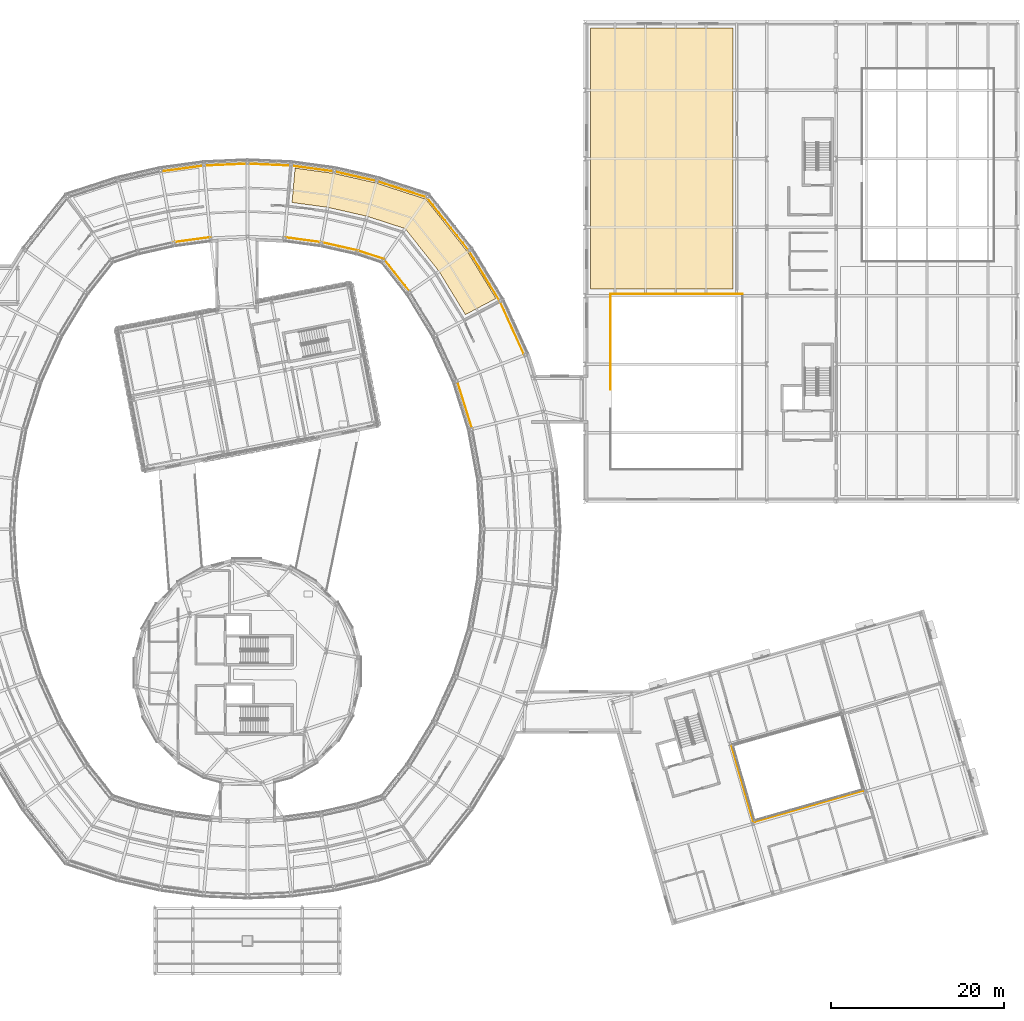
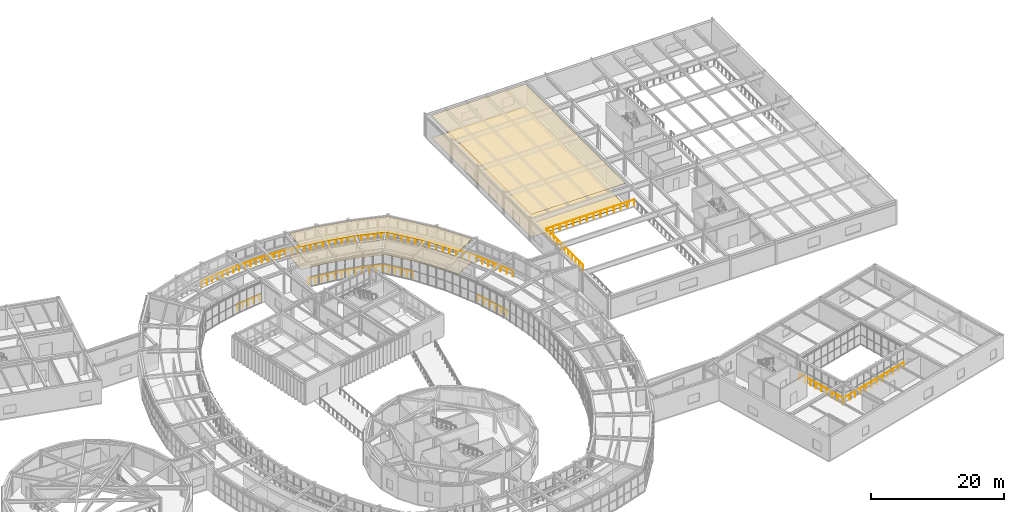
# One storey, part 100 of 103: 19 railings, 4 coverings.
"""IFC4 building model written with IfcOpenShell, lengths in metres."""

from ifc_helpers import new_model, si_unit, direction, frame, origin, origin_2d, place, context, subcontext, project, spatial, polyline, circle, outline, extrude, material, layer, layer_set, type_object, element, save


model = new_model("IFC4")

# Units and contexts
model_context = context("Model", 3, precision=1e-05, world=origin(), true_north=direction((0.0, 1.0)))
body_context = subcontext(model_context, "Body", "Model", "MODEL_VIEW")
ifc_project = project(units=[si_unit("LENGTHUNIT", "METRE"), si_unit("AREAUNIT", "SQUARE_METRE"), si_unit("VOLUMEUNIT", "CUBIC_METRE"), si_unit("PLANEANGLEUNIT", "RADIAN"), si_unit("MASSUNIT", "GRAM", prefix="KILO")], contexts=[model_context])

# Site, building, storey
site_placement = place(None, origin())
site = spatial("IfcSite", under=ifc_project, at=site_placement, CompositionType="ELEMENT")
building_placement = place(site_placement, origin())
building = spatial("IfcBuilding", under=site, at=building_placement, Name="Varnklinge Art Gallery", CompositionType="ELEMENT")
storey_placement = place(building_placement, frame((0.0, 0.0, 5.10009765625)))
storey = spatial("IfcBuildingStorey", under=building, at=storey_placement, Name="L01", CompositionType="ELEMENT", Elevation=5.10009765625)

# Railings
ifc_material_1 = material(Name="Anodised Aluminium", Category="aluminium")
railing_type = type_object("IfcRailingType", Name="BAL-01", PredefinedType="BALUSTRADE", material=ifc_material_1)
railing_1_placement = place(storey_placement, frame((101.440185546875, 66.538818359375, 0.0)))
element("IfcRailing", 1, at=railing_1_placement, inside=storey, type_object=railing_type, Name="L01 Ring Inner Glazing Guard 09", PredefinedType="BALUSTRADE", context=body_context, shape_type="SweptSolid", body=[
    extrude(circle(Radius=0.02392578125, at=origin_2d()), frame((0.0, 0.0, 1.11572265625), z_axis=(-0.299728477264, 0.954024548907, 0.0), x_axis=(-0.954024548907, -0.299728477264, 0.0)), (0.0, 0.0, 1.0), 5.8232421875),
    extrude(circle(Radius=0.02099609375, at=origin_2d()), origin(), (0.0, 0.0, 1.0), 1.091796875),
    extrude(circle(Radius=0.02099609375, at=origin_2d()), frame((-0.34912109375, 1.111083984375, 0.0)), (0.0, 0.0, 1.0), 1.091796875),
    extrude(circle(Radius=0.02099609375, at=origin_2d()), frame((-0.6982421875, 2.22216796875, 0.0)), (0.0, 0.0, 1.0), 1.091796875),
    extrude(circle(Radius=0.02099609375, at=origin_2d()), frame((-1.047119140625, 3.333251953125, 0.0)), (0.0, 0.0, 1.0), 1.091796875),
    extrude(circle(Radius=0.02099609375, at=origin_2d()), frame((-1.396240234375, 4.4443359375, 0.0)), (0.0, 0.0, 1.0), 1.091796875),
    extrude(circle(Radius=0.02099609375, at=origin_2d()), frame((-1.745361328125, 5.555419921875, 0.0)), (0.0, 0.0, 1.0), 1.091796875),
])
railing_2_placement = place(storey_placement, frame((107.44287109375, 75.0576171875, 0.0)))
element("IfcRailing", 2, at=railing_2_placement, inside=storey, type_object=railing_type, Name="L01 Ring Outer Glazing Guard 10", PredefinedType="BALUSTRADE", context=body_context, shape_type="SweptSolid", body=[
    extrude(circle(Radius=0.02392578125, at=origin_2d()), frame((0.0, 0.0, 1.11572265625), z_axis=(-0.413412552712, 0.910543827205, 0.0), x_axis=(-0.910543827205, -0.413412552712, 0.0)), (0.0, 0.0, 1.0), 6.832763671875),
    extrude(circle(Radius=0.02099609375, at=origin_2d()), origin(), (0.0, 0.0, 1.0), 1.091796875),
    extrude(circle(Radius=0.02099609375, at=origin_2d()), frame((-0.470703125, 1.036865234375, 0.0)), (0.0, 0.0, 1.0), 1.091796875),
    extrude(circle(Radius=0.02099609375, at=origin_2d()), frame((-0.941650390625, 2.07373046875, 0.0)), (0.0, 0.0, 1.0), 1.091796875),
    extrude(circle(Radius=0.02099609375, at=origin_2d()), frame((-1.412353515625, 3.11083984375, 0.0)), (0.0, 0.0, 1.0), 1.091796875),
    extrude(circle(Radius=0.02099609375, at=origin_2d()), frame((-1.883056640625, 4.147705078125, 0.0)), (0.0, 0.0, 1.0), 1.091796875),
    extrude(circle(Radius=0.02099609375, at=origin_2d()), frame((-2.35400390625, 5.1845703125, 0.0)), (0.0, 0.0, 1.0), 1.091796875),
    extrude(circle(Radius=0.02099609375, at=origin_2d()), frame((-2.82470703125, 6.221435546875, 0.0)), (0.0, 0.0, 1.0), 1.091796875),
])
railing_3_placement = place(storey_placement, frame((104.6181640625, 81.279052734375, 0.0)))
element("IfcRailing", 3, at=railing_3_placement, inside=storey, type_object=railing_type, Name="L01 Ring Outer Glazing Guard 11", PredefinedType="BALUSTRADE", context=body_context, shape_type="SweptSolid", body=[
    extrude(circle(Radius=0.02392578125, at=origin_2d()), frame((0.0, 0.0, 1.11572265625), z_axis=(-0.520933930846, 0.853597000753, 0.0), x_axis=(-0.853597000753, -0.520933930846, 0.0)), (0.0, 0.0, 1.0), 6.83251953125),
    extrude(circle(Radius=0.02099609375, at=origin_2d()), origin(), (0.0, 0.0, 1.0), 1.091796875),
    extrude(circle(Radius=0.02099609375, at=origin_2d()), frame((-0.59326171875, 0.97216796875, 0.0)), (0.0, 0.0, 1.0), 1.091796875),
    extrude(circle(Radius=0.02099609375, at=origin_2d()), frame((-1.1865234375, 1.944091796875, 0.0)), (0.0, 0.0, 1.0), 1.091796875),
    extrude(circle(Radius=0.02099609375, at=origin_2d()), frame((-1.77978515625, 2.916015625, 0.0)), (0.0, 0.0, 1.0), 1.091796875),
    extrude(circle(Radius=0.02099609375, at=origin_2d()), frame((-2.372802734375, 3.88818359375, 0.0)), (0.0, 0.0, 1.0), 1.091796875),
    extrude(circle(Radius=0.02099609375, at=origin_2d()), frame((-2.966064453125, 4.8603515625, 0.0)), (0.0, 0.0, 1.0), 1.091796875),
    extrude(circle(Radius=0.02099609375, at=origin_2d()), frame((-3.559326171875, 5.832275390625, 0.0)), (0.0, 0.0, 1.0), 1.091796875),
])
railing_4_placement = place(storey_placement, frame((101.058837890625, 87.111328125, 0.0)))
element("IfcRailing", 4, at=railing_4_placement, inside=storey, type_object=railing_type, Name="L01 Ring Outer Glazing Guard 12", PredefinedType="BALUSTRADE", context=body_context, shape_type="SweptSolid", body=[
    extrude(circle(Radius=0.02392578125, at=origin_2d()), frame((0.0, 0.0, 1.11572265625), z_axis=(-0.620768404491, 0.783993997417, 0.0), x_axis=(-0.783993997417, -0.620768404491, 0.0)), (0.0, 0.0, 1.0), 7.8330078125),
    extrude(circle(Radius=0.02099609375, at=origin_2d()), origin(), (0.0, 0.0, 1.0), 1.091796875),
    extrude(circle(Radius=0.02099609375, at=origin_2d()), frame((-0.694580078125, 0.877197265625, 0.0)), (0.0, 0.0, 1.0), 1.091796875),
    extrude(circle(Radius=0.02099609375, at=origin_2d()), frame((-1.389404296875, 1.754638671875, 0.0)), (0.0, 0.0, 1.0), 1.091796875),
    extrude(circle(Radius=0.02099609375, at=origin_2d()), frame((-2.083984375, 2.6318359375, 0.0)), (0.0, 0.0, 1.0), 1.091796875),
    extrude(circle(Radius=0.02099609375, at=origin_2d()), frame((-2.778564453125, 3.50927734375, 0.0)), (0.0, 0.0, 1.0), 1.091796875),
    extrude(circle(Radius=0.02099609375, at=origin_2d()), frame((-3.47314453125, 4.386474609375, 0.0)), (0.0, 0.0, 1.0), 1.091796875),
    extrude(circle(Radius=0.02099609375, at=origin_2d()), frame((-4.16796875, 5.263916015625, 0.0)), (0.0, 0.0, 1.0), 1.091796875),
    extrude(circle(Radius=0.02099609375, at=origin_2d()), frame((-4.862548828125, 6.14111328125, 0.0)), (0.0, 0.0, 1.0), 1.091796875),
])
railing_5_placement = place(storey_placement, frame((94.254150390625, 82.3671875, 0.0)))
element("IfcRailing", 5, at=railing_5_placement, inside=storey, type_object=railing_type, Name="L01 Ring Inner Glazing Guard 12", PredefinedType="BALUSTRADE", context=body_context, shape_type="SweptSolid", body=[
    extrude(circle(Radius=0.02392578125, at=origin_2d()), frame((0.0, 0.0, 1.11572265625), z_axis=(-0.620779441909, 0.783985257836, 0.0), x_axis=(-0.783985257836, -0.620779441909, 0.0)), (0.0, 0.0, 1.0), 4.82275390625),
    extrude(circle(Radius=0.02099609375, at=origin_2d()), origin(), (0.0, 0.0, 1.0), 1.091796875),
    extrude(circle(Radius=0.02099609375, at=origin_2d()), frame((-0.598876953125, 0.756103515625, 0.0)), (0.0, 0.0, 1.0), 1.091796875),
    extrude(circle(Radius=0.02099609375, at=origin_2d()), frame((-1.197509765625, 1.512451171875, 0.0)), (0.0, 0.0, 1.0), 1.091796875),
    extrude(circle(Radius=0.02099609375, at=origin_2d()), frame((-1.79638671875, 2.2685546875, 0.0)), (0.0, 0.0, 1.0), 1.091796875),
    extrude(circle(Radius=0.02099609375, at=origin_2d()), frame((-2.39501953125, 3.02490234375, 0.0)), (0.0, 0.0, 1.0), 1.091796875),
    extrude(circle(Radius=0.02099609375, at=origin_2d()), frame((-2.993896484375, 3.781005859375, 0.0)), (0.0, 0.0, 1.0), 1.091796875),
])
railing_6_placement = place(storey_placement, frame((96.1962890625, 93.25244140625, 0.0)))
element("IfcRailing", 6, at=railing_6_placement, inside=storey, type_object=railing_type, Name="L01 Ring Outer Glazing Guard 13", PredefinedType="BALUSTRADE", context=body_context, shape_type="SweptSolid", body=[
    extrude(circle(Radius=0.02392578125, at=origin_2d()), frame((0.0, 0.0, 1.11572265625), z_axis=(-0.951286996802, 0.308306746141, 0.0), x_axis=(-0.308306746141, -0.951286996802, 0.0)), (0.0, 0.0, 1.0), 6.0927734375),
    extrude(circle(Radius=0.02099609375, at=origin_2d()), origin(), (0.0, 0.0, 1.0), 1.091796875),
    extrude(circle(Radius=0.02099609375, at=origin_2d()), frame((-0.966064453125, 0.31298828125, 0.0)), (0.0, 0.0, 1.0), 1.091796875),
    extrude(circle(Radius=0.02099609375, at=origin_2d()), frame((-1.931884765625, 0.626220703125, 0.0)), (0.0, 0.0, 1.0), 1.091796875),
    extrude(circle(Radius=0.02099609375, at=origin_2d()), frame((-2.89794921875, 0.939208984375, 0.0)), (0.0, 0.0, 1.0), 1.091796875),
    extrude(circle(Radius=0.02099609375, at=origin_2d()), frame((-3.864013671875, 1.252197265625, 0.0)), (0.0, 0.0, 1.0), 1.091796875),
    extrude(circle(Radius=0.02099609375, at=origin_2d()), frame((-4.829833984375, 1.5654296875, 0.0)), (0.0, 0.0, 1.0), 1.091796875),
    extrude(circle(Radius=0.02099609375, at=origin_2d()), frame((-5.7958984375, 1.87841796875, 0.0)), (0.0, 0.0, 1.0), 1.091796875),
])
railing_7_placement = place(storey_placement, frame((91.26025390625, 86.148193359375, 0.0)))
element("IfcRailing", 7, at=railing_7_placement, inside=storey, type_object=railing_type, Name="L01 Ring Inner Glazing Guard 13", PredefinedType="BALUSTRADE", context=body_context, shape_type="SweptSolid", body=[
    extrude(circle(Radius=0.02392578125, at=origin_2d()), frame((0.0, 0.0, 1.11572265625), z_axis=(-0.951276988324, 0.308337625804, 0.0), x_axis=(-0.308337625804, -0.951276988324, 0.0)), (0.0, 0.0, 1.0), 3.21630859375),
    extrude(circle(Radius=0.02099609375, at=origin_2d()), origin(), (0.0, 0.0, 1.0), 1.091796875),
    extrude(circle(Radius=0.02099609375, at=origin_2d()), frame((-1.019775390625, 0.33056640625, 0.0)), (0.0, 0.0, 1.0), 1.091796875),
    extrude(circle(Radius=0.02099609375, at=origin_2d()), frame((-2.039794921875, 0.6611328125, 0.0)), (0.0, 0.0, 1.0), 1.091796875),
    extrude(circle(Radius=0.02099609375, at=origin_2d()), frame((-3.0595703125, 0.99169921875, 0.0)), (0.0, 0.0, 1.0), 1.091796875),
])
railing_8_placement = place(storey_placement, frame((90.400390625, 95.130859375, 0.0)))
element("IfcRailing", 8, at=railing_8_placement, inside=storey, type_object=railing_type, Name="L01 Ring Outer Glazing Guard 14", PredefinedType="BALUSTRADE", context=body_context, shape_type="SweptSolid", body=[
    extrude(circle(Radius=0.02392578125, at=origin_2d()), frame((0.0, 0.0, 1.11572265625), z_axis=(-0.975052616387, 0.221973861698, 0.0), x_axis=(-0.221973861698, -0.975052616387, 0.0)), (0.0, 0.0, 1.0), 5.025390625),
    extrude(circle(Radius=0.02099609375, at=origin_2d()), origin(), (0.0, 0.0, 1.0), 1.091796875),
    extrude(circle(Radius=0.02099609375, at=origin_2d()), frame((-0.97998046875, 0.22314453125, 0.0)), (0.0, 0.0, 1.0), 1.091796875),
    extrude(circle(Radius=0.02099609375, at=origin_2d()), frame((-1.9599609375, 0.4462890625, 0.0)), (0.0, 0.0, 1.0), 1.091796875),
    extrude(circle(Radius=0.02099609375, at=origin_2d()), frame((-2.93994140625, 0.669189453125, 0.0)), (0.0, 0.0, 1.0), 1.091796875),
    extrude(circle(Radius=0.02099609375, at=origin_2d()), frame((-3.919921875, 0.892333984375, 0.0)), (0.0, 0.0, 1.0), 1.091796875),
    extrude(circle(Radius=0.02099609375, at=origin_2d()), frame((-4.89990234375, 1.115478515625, 0.0)), (0.0, 0.0, 1.0), 1.091796875),
])
railing_9_placement = place(storey_placement, frame((88.20068359375, 87.139892578125, 0.0)))
element("IfcRailing", 9, at=railing_9_placement, inside=storey, type_object=railing_type, Name="L01 Ring Inner Glazing Guard 14", PredefinedType="BALUSTRADE", context=body_context, shape_type="SweptSolid", body=[
    extrude(circle(Radius=0.02392578125, at=origin_2d()), frame((0.0, 0.0, 1.11572265625), z_axis=(-0.975058334302, 0.221948743425, 0.0), x_axis=(-0.221948743425, -0.975058334302, 0.0)), (0.0, 0.0, 1.0), 4.283447265625),
    extrude(circle(Radius=0.02099609375, at=origin_2d()), origin(), (0.0, 0.0, 1.0), 1.091796875),
    extrude(circle(Radius=0.02099609375, at=origin_2d()), frame((-1.044189453125, 0.23779296875, 0.0)), (0.0, 0.0, 1.0), 1.091796875),
    extrude(circle(Radius=0.02099609375, at=origin_2d()), frame((-2.08837890625, 0.475341796875, 0.0)), (0.0, 0.0, 1.0), 1.091796875),
    extrude(circle(Radius=0.02099609375, at=origin_2d()), frame((-3.13232421875, 0.712890625, 0.0)), (0.0, 0.0, 1.0), 1.091796875),
    extrude(circle(Radius=0.02099609375, at=origin_2d()), frame((-4.176513671875, 0.95068359375, 0.0)), (0.0, 0.0, 1.0), 1.091796875),
])
railing_10_placement = place(storey_placement, frame((85.50048828125, 96.246337890625, 0.0)))
element("IfcRailing", 10, at=railing_10_placement, inside=storey, type_object=railing_type, Name="L01 Ring Outer Glazing Guard 15", PredefinedType="BALUSTRADE", context=body_context, shape_type="SweptSolid", body=[
    extrude(circle(Radius=0.02392578125, at=origin_2d()), frame((0.0, 0.0, 1.11572265625), z_axis=(-0.990995566773, 0.133894684872, 0.0), x_axis=(-0.133894684872, -0.990995566773, 0.0)), (0.0, 0.0, 1.0), 5.025146484375),
    extrude(circle(Radius=0.02099609375, at=origin_2d()), origin(), (0.0, 0.0, 1.0), 1.091796875),
    extrude(circle(Radius=0.02099609375, at=origin_2d()), frame((-0.99609375, 0.134521484375, 0.0)), (0.0, 0.0, 1.0), 1.091796875),
    extrude(circle(Radius=0.02099609375, at=origin_2d()), frame((-1.991943359375, 0.26904296875, 0.0)), (0.0, 0.0, 1.0), 1.091796875),
    extrude(circle(Radius=0.02099609375, at=origin_2d()), frame((-2.988037109375, 0.40380859375, 0.0)), (0.0, 0.0, 1.0), 1.091796875),
    extrude(circle(Radius=0.02099609375, at=origin_2d()), frame((-3.98388671875, 0.538330078125, 0.0)), (0.0, 0.0, 1.0), 1.091796875),
    extrude(circle(Radius=0.02099609375, at=origin_2d()), frame((-4.97998046875, 0.6728515625, 0.0)), (0.0, 0.0, 1.0), 1.091796875),
])
railing_11_placement = place(storey_placement, frame((84.024169921875, 88.090576171875, 0.0)))
element("IfcRailing", 11, at=railing_11_placement, inside=storey, type_object=railing_type, Name="L01 Ring Inner Glazing Guard 15", PredefinedType="BALUSTRADE", context=body_context, shape_type="SweptSolid", body=[
    extrude(circle(Radius=0.02392578125, at=origin_2d()), frame((0.0, 0.0, 1.11572265625), z_axis=(-0.990996927418, 0.133884613936, 0.0), x_axis=(-0.133884613936, -0.990996927418, 0.0)), (0.0, 0.0, 1.0), 4.283447265625),
    extrude(circle(Radius=0.02099609375, at=origin_2d()), origin(), (0.0, 0.0, 1.0), 1.091796875),
    extrude(circle(Radius=0.02099609375, at=origin_2d()), frame((-1.061279296875, 0.143310546875, 0.0)), (0.0, 0.0, 1.0), 1.091796875),
    extrude(circle(Radius=0.02099609375, at=origin_2d()), frame((-2.12255859375, 0.28662109375, 0.0)), (0.0, 0.0, 1.0), 1.091796875),
    extrude(circle(Radius=0.02099609375, at=origin_2d()), frame((-3.18359375, 0.43017578125, 0.0)), (0.0, 0.0, 1.0), 1.091796875),
    extrude(circle(Radius=0.02099609375, at=origin_2d()), frame((-4.244873046875, 0.573486328125, 0.0)), (0.0, 0.0, 1.0), 1.091796875),
])
railing_12_placement = place(storey_placement, frame((80.5205078125, 96.919189453125, 0.0)))
element("IfcRailing", 12, at=railing_12_placement, inside=storey, type_object=railing_type, Name="L01 Ring Outer Glazing Guard 16", PredefinedType="BALUSTRADE", context=body_context, shape_type="SweptSolid", body=[
    extrude(circle(Radius=0.02392578125, at=origin_2d()), frame((0.0, 0.0, 1.11572265625), z_axis=(-0.998998568337, 0.044742155293, 0.0), x_axis=(-0.044742155293, -0.998998568337, 0.0)), (0.0, 0.0, 1.0), 5.025634765625),
    extrude(circle(Radius=0.02099609375, at=origin_2d()), origin(), (0.0, 0.0, 1.0), 1.091796875),
    extrude(circle(Radius=0.02099609375, at=origin_2d()), frame((-1.004150390625, 0.044921875, 0.0)), (0.0, 0.0, 1.0), 1.091796875),
    extrude(circle(Radius=0.02099609375, at=origin_2d()), frame((-2.00830078125, 0.08984375, 0.0)), (0.0, 0.0, 1.0), 1.091796875),
    extrude(circle(Radius=0.02099609375, at=origin_2d()), frame((-3.01220703125, 0.135009765625, 0.0)), (0.0, 0.0, 1.0), 1.091796875),
    extrude(circle(Radius=0.02099609375, at=origin_2d()), frame((-4.016357421875, 0.179931640625, 0.0)), (0.0, 0.0, 1.0), 1.091796875),
    extrude(circle(Radius=0.02099609375, at=origin_2d()), frame((-5.0205078125, 0.224853515625, 0.0)), (0.0, 0.0, 1.0), 1.091796875),
])
railing_13_placement = place(storey_placement, frame((75.5, 97.14404296875, 0.0)))
element("IfcRailing", 13, at=railing_13_placement, inside=storey, type_object=railing_type, Name="L01 Ring Outer Glazing Guard 17", PredefinedType="BALUSTRADE", context=body_context, shape_type="SweptSolid", body=[
    extrude(circle(Radius=0.02392578125, at=origin_2d()), frame((0.0, 0.0, 1.11572265625), z_axis=(-0.998998568337, -0.044742155293, 0.0), x_axis=(0.044742155293, -0.998998568337, 0.0)), (0.0, 0.0, 1.0), 5.025634765625),
    extrude(circle(Radius=0.02099609375, at=origin_2d()), origin(), (0.0, 0.0, 1.0), 1.091796875),
    extrude(circle(Radius=0.02099609375, at=origin_2d()), frame((-1.004150390625, -0.044921875, 0.0)), (0.0, 0.0, 1.0), 1.091796875),
    extrude(circle(Radius=0.02099609375, at=origin_2d()), frame((-2.00830078125, -0.08984375, 0.0)), (0.0, 0.0, 1.0), 1.091796875),
    extrude(circle(Radius=0.02099609375, at=origin_2d()), frame((-3.01220703125, -0.135009765625, 0.0)), (0.0, 0.0, 1.0), 1.091796875),
    extrude(circle(Radius=0.02099609375, at=origin_2d()), frame((-4.016357421875, -0.179931640625, 0.0)), (0.0, 0.0, 1.0), 1.091796875),
    extrude(circle(Radius=0.02099609375, at=origin_2d()), frame((-5.0205078125, -0.224853515625, 0.0)), (0.0, 0.0, 1.0), 1.091796875),
])
railing_14_placement = place(storey_placement, frame((70.4794921875, 96.919189453125, 0.0)))
element("IfcRailing", 14, at=railing_14_placement, inside=storey, type_object=railing_type, Name="L01 Ring Outer Glazing Guard 18", PredefinedType="BALUSTRADE", context=body_context, shape_type="SweptSolid", body=[
    extrude(circle(Radius=0.02392578125, at=origin_2d()), frame((0.0, 0.0, 1.11572265625), z_axis=(-0.990995566773, -0.133894684872, 0.0), x_axis=(0.133894684872, -0.990995566773, 0.0)), (0.0, 0.0, 1.0), 5.025146484375),
    extrude(circle(Radius=0.02099609375, at=origin_2d()), origin(), (0.0, 0.0, 1.0), 1.091796875),
    extrude(circle(Radius=0.02099609375, at=origin_2d()), frame((-0.99609375, -0.134521484375, 0.0)), (0.0, 0.0, 1.0), 1.091796875),
    extrude(circle(Radius=0.02099609375, at=origin_2d()), frame((-1.991943359375, -0.26904296875, 0.0)), (0.0, 0.0, 1.0), 1.091796875),
    extrude(circle(Radius=0.02099609375, at=origin_2d()), frame((-2.988037109375, -0.40380859375, 0.0)), (0.0, 0.0, 1.0), 1.091796875),
    extrude(circle(Radius=0.02099609375, at=origin_2d()), frame((-3.98388671875, -0.538330078125, 0.0)), (0.0, 0.0, 1.0), 1.091796875),
    extrude(circle(Radius=0.02099609375, at=origin_2d()), frame((-4.97998046875, -0.6728515625, 0.0)), (0.0, 0.0, 1.0), 1.091796875),
])
railing_15_placement = place(storey_placement, frame((71.220703125, 88.6640625, 0.0)))
element("IfcRailing", 15, at=railing_15_placement, inside=storey, type_object=railing_type, Name="L01 Ring Inner Glazing Guard 18", PredefinedType="BALUSTRADE", context=body_context, shape_type="SweptSolid", body=[
    extrude(circle(Radius=0.02392578125, at=origin_2d()), frame((0.0, 0.0, 1.11572265625), z_axis=(-0.990996927418, -0.133884613936, 0.0), x_axis=(0.133884613936, -0.990996927418, 0.0)), (0.0, 0.0, 1.0), 4.283447265625),
    extrude(circle(Radius=0.02099609375, at=origin_2d()), origin(), (0.0, 0.0, 1.0), 1.091796875),
    extrude(circle(Radius=0.02099609375, at=origin_2d()), frame((-1.061279296875, -0.143310546875, 0.0)), (0.0, 0.0, 1.0), 1.091796875),
    extrude(circle(Radius=0.02099609375, at=origin_2d()), frame((-2.12255859375, -0.28662109375, 0.0)), (0.0, 0.0, 1.0), 1.091796875),
    extrude(circle(Radius=0.02099609375, at=origin_2d()), frame((-3.18359375, -0.43017578125, 0.0)), (0.0, 0.0, 1.0), 1.091796875),
    extrude(circle(Radius=0.02099609375, at=origin_2d()), frame((-4.244873046875, -0.573486328125, 0.0)), (0.0, 0.0, 1.0), 1.091796875),
])
railing_16_placement = place(storey_placement, frame((146.53271484375, 24.812255859375, 0.0)))
element("IfcRailing", 16, at=railing_16_placement, inside=storey, type_object=railing_type, Name="BAL-V6C-L01-1", PredefinedType="BALUSTRADE", context=body_context, shape_type="SweptSolid", body=[
    extrude(circle(Radius=0.02392578125, at=origin_2d()), frame((0.0, 0.0, 1.11572265625), z_axis=(-0.961262007285, -0.275636270019, 0.0), x_axis=(0.275636270019, -0.961262007285, 0.0)), (0.0, 0.0, 1.0), 13.0),
    extrude(circle(Radius=0.02099609375, at=origin_2d()), origin(), (0.0, 0.0, 1.0), 1.091796875),
    extrude(circle(Radius=0.02099609375, at=origin_2d()), frame((-1.135986328125, -0.32568359375, 0.0)), (0.0, 0.0, 1.0), 1.091796875),
    extrude(circle(Radius=0.02099609375, at=origin_2d()), frame((-2.27197265625, -0.651611328125, 0.0)), (0.0, 0.0, 1.0), 1.091796875),
    extrude(circle(Radius=0.02099609375, at=origin_2d()), frame((-3.408203125, -0.977294921875, 0.0)), (0.0, 0.0, 1.0), 1.091796875),
    extrude(circle(Radius=0.02099609375, at=origin_2d()), frame((-4.544189453125, -1.302978515625, 0.0)), (0.0, 0.0, 1.0), 1.091796875),
    extrude(circle(Radius=0.02099609375, at=origin_2d()), frame((-5.68017578125, -1.628662109375, 0.0)), (0.0, 0.0, 1.0), 1.091796875),
    extrude(circle(Radius=0.02099609375, at=origin_2d()), frame((-6.816162109375, -1.95458984375, 0.0)), (0.0, 0.0, 1.0), 1.091796875),
    extrude(circle(Radius=0.02099609375, at=origin_2d()), frame((-7.9521484375, -2.2802734375, 0.0)), (0.0, 0.0, 1.0), 1.091796875),
    extrude(circle(Radius=0.02099609375, at=origin_2d()), frame((-9.088134765625, -2.60595703125, 0.0)), (0.0, 0.0, 1.0), 1.091796875),
    extrude(circle(Radius=0.02099609375, at=origin_2d()), frame((-10.224365234375, -2.931640625, 0.0)), (0.0, 0.0, 1.0), 1.091796875),
    extrude(circle(Radius=0.02099609375, at=origin_2d()), frame((-11.3603515625, -3.257568359375, 0.0)), (0.0, 0.0, 1.0), 1.091796875),
    extrude(circle(Radius=0.02099609375, at=origin_2d()), frame((-12.496337890625, -3.583251953125, 0.0)), (0.0, 0.0, 1.0), 1.091796875),
])
railing_17_placement = place(storey_placement, frame((133.83837890625, 21.338623046875, 0.0)))
element("IfcRailing", 17, at=railing_17_placement, inside=storey, type_object=railing_type, Name="BAL-V6C-L01-4", PredefinedType="BALUSTRADE", context=body_context, shape_type="SweptSolid", body=[
    extrude(circle(Radius=0.02392578125, at=origin_2d()), frame((0.0, 0.0, 1.11572265625), z_axis=(-0.275634611374, 0.96126248289, 0.0), x_axis=(-0.96126248289, -0.275634611374, 0.0)), (0.0, 0.0, 1.0), 9.0),
    extrude(circle(Radius=0.02099609375, at=origin_2d()), origin(), (0.0, 0.0, 1.0), 1.091796875),
    extrude(circle(Radius=0.02099609375, at=origin_2d()), frame((-0.31005859375, 1.08154296875, 0.0)), (0.0, 0.0, 1.0), 1.091796875),
    extrude(circle(Radius=0.02099609375, at=origin_2d()), frame((-0.6201171875, 2.162841796875, 0.0)), (0.0, 0.0, 1.0), 1.091796875),
    extrude(circle(Radius=0.02099609375, at=origin_2d()), frame((-0.93017578125, 3.244140625, 0.0)), (0.0, 0.0, 1.0), 1.091796875),
    extrude(circle(Radius=0.02099609375, at=origin_2d()), frame((-1.240234375, 4.32568359375, 0.0)), (0.0, 0.0, 1.0), 1.091796875),
    extrude(circle(Radius=0.02099609375, at=origin_2d()), frame((-1.550537109375, 5.4072265625, 0.0)), (0.0, 0.0, 1.0), 1.091796875),
    extrude(circle(Radius=0.02099609375, at=origin_2d()), frame((-1.860595703125, 6.488525390625, 0.0)), (0.0, 0.0, 1.0), 1.091796875),
    extrude(circle(Radius=0.02099609375, at=origin_2d()), frame((-2.170654296875, 7.56982421875, 0.0)), (0.0, 0.0, 1.0), 1.091796875),
    extrude(circle(Radius=0.02099609375, at=origin_2d()), frame((-2.480712890625, 8.6513671875, 0.0)), (0.0, 0.0, 1.0), 1.091796875),
])
railing_18_placement = place(storey_placement, frame((132.6201171875, 82.1201171875, 0.0)))
element("IfcRailing", 18, at=railing_18_placement, inside=storey, type_object=railing_type, Name="L01 Atrium Void Balustrade 1.2", PredefinedType="BALUSTRADE", context=body_context, shape_type="SweptSolid", body=[
    extrude(circle(Radius=0.02392578125, at=origin_2d()), frame((0.0, 0.0, 1.11572265625), z_axis=(-1.0, 0.0, 0.0), x_axis=(0.0, -1.0, 0.0)), (0.0, 0.0, 1.0), 15.240234375),
    extrude(circle(Radius=0.02099609375, at=origin_2d()), origin(), (0.0, 0.0, 1.0), 1.091796875),
    extrude(circle(Radius=0.02099609375, at=origin_2d()), frame((-1.17236328125, 0.0, 0.0)), (0.0, 0.0, 1.0), 1.091796875),
    extrude(circle(Radius=0.02099609375, at=origin_2d()), frame((-2.3447265625, 0.0, 0.0)), (0.0, 0.0, 1.0), 1.091796875),
    extrude(circle(Radius=0.02099609375, at=origin_2d()), frame((-3.51708984375, 0.0, 0.0)), (0.0, 0.0, 1.0), 1.091796875),
    extrude(circle(Radius=0.02099609375, at=origin_2d()), frame((-4.689208984375, 0.0, 0.0)), (0.0, 0.0, 1.0), 1.091796875),
    extrude(circle(Radius=0.02099609375, at=origin_2d()), frame((-5.861572265625, 0.0, 0.0)), (0.0, 0.0, 1.0), 1.091796875),
    extrude(circle(Radius=0.02099609375, at=origin_2d()), frame((-7.033935546875, 0.0, 0.0)), (0.0, 0.0, 1.0), 1.091796875),
    extrude(circle(Radius=0.02099609375, at=origin_2d()), frame((-8.206298828125, 0.0, 0.0)), (0.0, 0.0, 1.0), 1.091796875),
    extrude(circle(Radius=0.02099609375, at=origin_2d()), frame((-9.378662109375, 0.0, 0.0)), (0.0, 0.0, 1.0), 1.091796875),
    extrude(circle(Radius=0.02099609375, at=origin_2d()), frame((-10.551025390625, 0.0, 0.0)), (0.0, 0.0, 1.0), 1.091796875),
    extrude(circle(Radius=0.02099609375, at=origin_2d()), frame((-11.72314453125, 0.0, 0.0)), (0.0, 0.0, 1.0), 1.091796875),
    extrude(circle(Radius=0.02099609375, at=origin_2d()), frame((-12.8955078125, 0.0, 0.0)), (0.0, 0.0, 1.0), 1.091796875),
    extrude(circle(Radius=0.02099609375, at=origin_2d()), frame((-14.06787109375, 0.0, 0.0)), (0.0, 0.0, 1.0), 1.091796875),
    extrude(circle(Radius=0.02099609375, at=origin_2d()), frame((-15.240234375, 0.0, 0.0)), (0.0, 0.0, 1.0), 1.091796875),
])
railing_19_placement = place(storey_placement, frame((117.3798828125, 71.1201171875, 0.0)))
element("IfcRailing", 19, at=railing_19_placement, inside=storey, type_object=railing_type, Name="L01 Atrium Void Balustrade 1.3B", PredefinedType="BALUSTRADE", context=body_context, shape_type="SweptSolid", body=[
    extrude(circle(Radius=0.02392578125, at=origin_2d()), frame((0.0, 0.0, 1.11572265625), z_axis=(0.0, 1.0, 0.0), x_axis=(-1.0, 0.0, 0.0)), (0.0, 0.0, 1.0), 11.0),
    extrude(circle(Radius=0.02099609375, at=origin_2d()), origin(), (0.0, 0.0, 1.0), 1.091796875),
    extrude(circle(Radius=0.02099609375, at=origin_2d()), frame((0.0, 1.10009765625, 0.0)), (0.0, 0.0, 1.0), 1.091796875),
    extrude(circle(Radius=0.02099609375, at=origin_2d()), frame((0.0, 2.199951171875, 0.0)), (0.0, 0.0, 1.0), 1.091796875),
    extrude(circle(Radius=0.02099609375, at=origin_2d()), frame((0.0, 3.300048828125, 0.0)), (0.0, 0.0, 1.0), 1.091796875),
    extrude(circle(Radius=0.02099609375, at=origin_2d()), frame((0.0, 4.39990234375, 0.0)), (0.0, 0.0, 1.0), 1.091796875),
    extrude(circle(Radius=0.02099609375, at=origin_2d()), frame((0.0, 5.5, 0.0)), (0.0, 0.0, 1.0), 1.091796875),
    extrude(circle(Radius=0.02099609375, at=origin_2d()), frame((0.0, 6.60009765625, 0.0)), (0.0, 0.0, 1.0), 1.091796875),
    extrude(circle(Radius=0.02099609375, at=origin_2d()), frame((0.0, 7.699951171875, 0.0)), (0.0, 0.0, 1.0), 1.091796875),
    extrude(circle(Radius=0.02099609375, at=origin_2d()), frame((0.0, 8.800048828125, 0.0)), (0.0, 0.0, 1.0), 1.091796875),
    extrude(circle(Radius=0.02099609375, at=origin_2d()), frame((0.0, 9.89990234375, 0.0)), (0.0, 0.0, 1.0), 1.091796875),
    extrude(circle(Radius=0.02099609375, at=origin_2d()), frame((0.0, 11.0, 0.0)), (0.0, 0.0, 1.0), 1.091796875),
])

# Coverings
ifc_material_2 = material(Name="Acoustic Mineral Tile", Category="mineral")
ifc_layer_1 = layer(ifc_material_2, 0.02490234375)
ifc_layer_set_1 = layer_set([ifc_layer_1], Name="Acoustic Mineral Tile")
covering_type_1 = type_object("IfcCoveringType", Name="CLG-AC", PredefinedType="CEILING", material=ifc_layer_set_1)
covering_1_placement = place(storey_placement, frame((0.0, 0.0, 4.14501953125)))
element("IfcCovering", 20, at=covering_1_placement, inside=storey, type_object=covering_type_1, Name="L01 Acoustic Mineral Ceiling 016", PredefinedType="CEILING", context=body_context, shape_type="SweptSolid", body=[
    extrude(outline(polyline([(131.5, 82.699951171875), (131.5, 112.820068359375), (115.080078125, 112.820068359375), (115.080078125, 82.699951171875), (131.5, 82.699951171875)])), origin(), (0.0, 0.0, 1.0), 0.02490234375),
])
covering_2_placement = place(storey_placement, frame((0.0, 0.0, 4.15478515625)))
element("IfcCovering", 21, at=covering_2_placement, inside=storey, type_object=covering_type_1, Name="L01 Acoustic Mineral Ceiling 019", PredefinedType="CEILING", context=body_context, shape_type="SweptSolid", body=[
    extrude(outline(polyline([(100.64599609375, 79.740966796875), (104.16259765625, 81.603515625), (100.878173828125, 86.9853515625), (96.065185546875, 93.063720703125), (90.342041015625, 94.91845703125), (85.461181640625, 96.029541015625), (80.99658203125, 96.6328125), (80.64111328125, 92.6728515625), (84.73095703125, 92.1201171875), (84.77490234375, 92.1123046875), (89.264892578125, 91.090087890625), (89.30810546875, 91.078125), (93.55322265625, 89.702392578125), (93.59912109375, 89.68505859375), (93.64306640625, 89.663330078125), (93.6845703125, 89.637451171875), (93.723388671875, 89.607421875), (93.759033203125, 89.573974609375), (93.791259765625, 89.537109375), (97.5947265625, 84.7333984375), (97.629638671875, 84.68359375), (100.64599609375, 79.740966796875)])), origin(), (0.0, 0.0, 1.0), 0.025146484375),
])
ifc_material_3 = material(Name="Polished Terrazzo Flooring", Category="stone")
ifc_layer_2 = layer(ifc_material_3, 0.02001953125)
ifc_layer_set_2 = layer_set([ifc_layer_2], Name="Polished Terrazzo Flooring")
covering_type_2 = type_object("IfcCoveringType", Name="FLR-STN", PredefinedType="FLOORING", material=ifc_layer_set_2)
covering_3_placement = place(storey_placement, origin())
element("IfcCovering", 22, at=covering_3_placement, inside=storey, type_object=covering_type_2, Name="L01 Gallery Terrazzo Flooring 016", PredefinedType="FLOORING", context=body_context, shape_type="SweptSolid", body=[
    extrude(outline(polyline([(131.5, 82.699951171875), (131.5, 112.820068359375), (115.080078125, 112.820068359375), (115.080078125, 82.699951171875), (131.5, 82.699951171875)])), origin(), (0.0, 0.0, 1.0), 0.02001953125),
])
covering_4_placement = place(storey_placement, origin())
element("IfcCovering", 23, at=covering_4_placement, inside=storey, type_object=covering_type_2, Name="L01 Gallery Terrazzo Flooring 019", PredefinedType="FLOORING", context=body_context, shape_type="SweptSolid", body=[
    extrude(outline(polyline([(100.64599609375, 79.740966796875), (104.16259765625, 81.603515625), (100.878173828125, 86.9853515625), (96.065185546875, 93.063720703125), (90.342041015625, 94.91845703125), (85.461181640625, 96.029541015625), (80.99658203125, 96.6328125), (80.64111328125, 92.6728515625), (84.73095703125, 92.1201171875), (84.77490234375, 92.1123046875), (89.264892578125, 91.090087890625), (89.30810546875, 91.078125), (93.55322265625, 89.702392578125), (93.59912109375, 89.68505859375), (93.64306640625, 89.663330078125), (93.6845703125, 89.637451171875), (93.723388671875, 89.607421875), (93.759033203125, 89.573974609375), (93.791259765625, 89.537109375), (97.5947265625, 84.7333984375), (97.629638671875, 84.68359375), (100.64599609375, 79.740966796875)])), origin(), (0.0, 0.0, 1.0), 0.02001953125),
])

save(model, "model.ifc")
